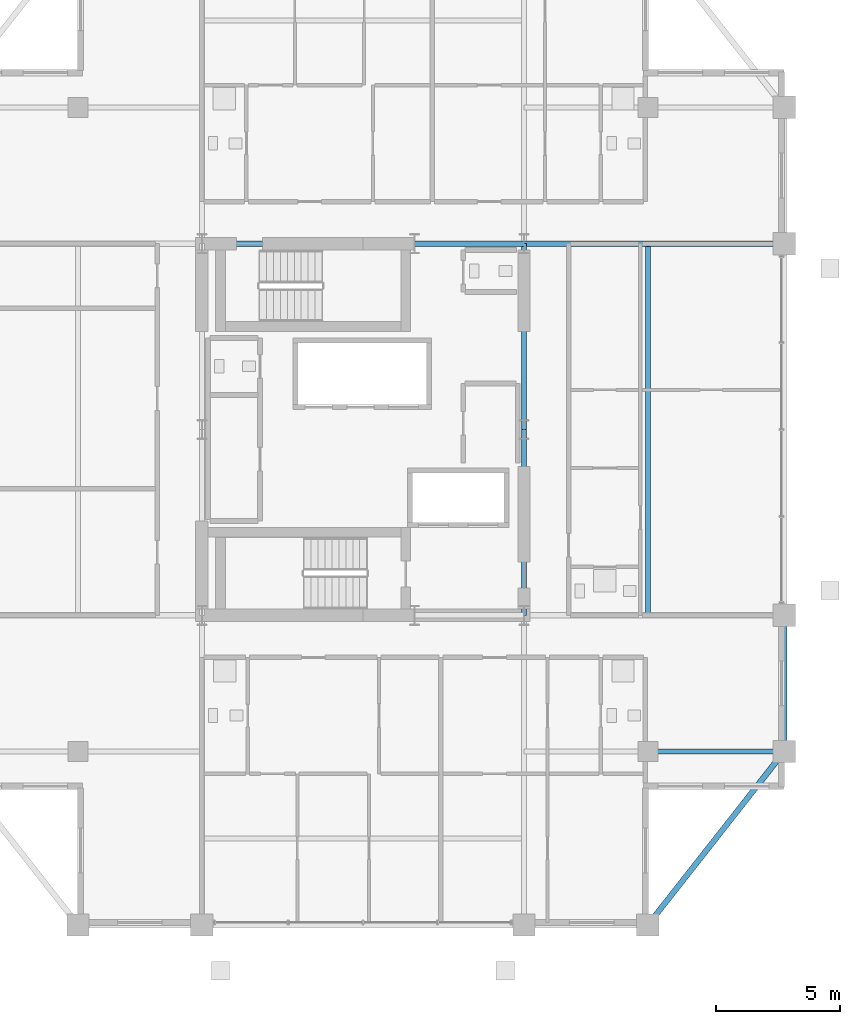
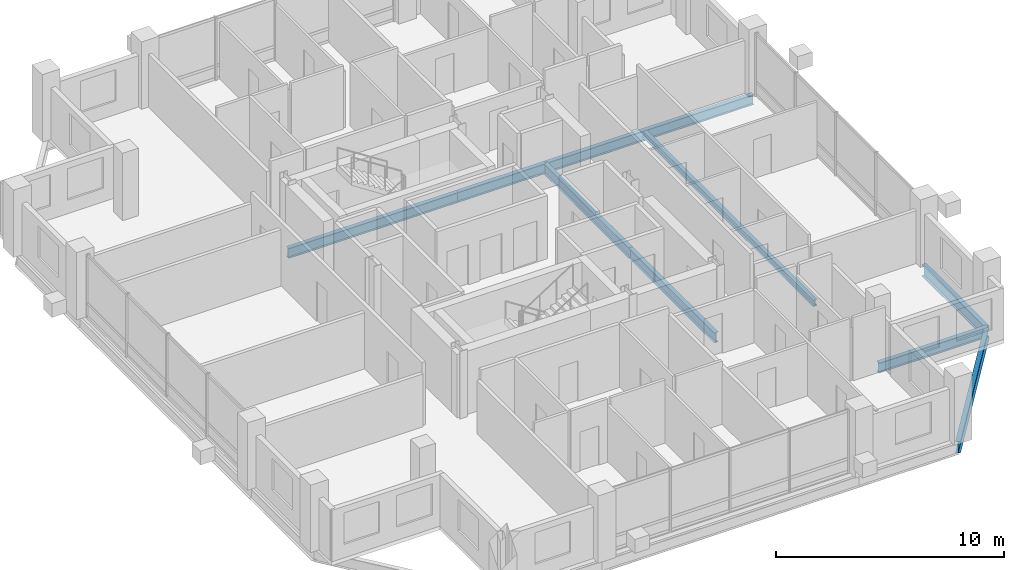
# One storey, part 9 of 21: 9 beams.
"""IFC4 building model written with IfcOpenShell, lengths in metres."""

import ifcopenshell
import ifcopenshell.guid

model = None  # the IFC model being written
_history = None  # IfcOwnerHistory: only IFC2X3 demands one
_inside = {}  # id of a spatial element -> (the spatial element, [elements in it])
_under = {}  # id of a project, library or spatial element -> (it, [spatial elements below it])
_declared = {}  # id of a project -> (the project, [libraries it declares])
_typed = {}  # id of a type object -> (the type object, [elements of that type])
_made_of = {}  # id of a material, layer set ... -> (it, [elements and type objects made of it])


def new_model(schema):
    """Start an empty IFC model of exactly this schema.

    Asked for "IFC4X3", IfcOpenShell would pick the latest addendum, in which some entities
    have other attributes; the version numbers below select the first issue.
    IFC2X3 requires an IfcOwnerHistory on every rooted entity: one is made here for all.
    """
    global model, _history
    if schema == "IFC4X3":
        model = ifcopenshell.file(schema_version=(4, 3, 0, 0))
    else:
        model = ifcopenshell.file(schema=schema)
    _inside.clear()
    _under.clear()
    _declared.clear()
    _typed.clear()
    _made_of.clear()
    _history = None
    if model.schema == "IFC2X3":
        org = make("IfcOrganization", Name="unknown")
        user = make(
            "IfcPersonAndOrganization",
            ThePerson=make("IfcPerson", FamilyName="unknown"),
            TheOrganization=org,
        )
        app = make(
            "IfcApplication",
            ApplicationDeveloper=org,
            Version="unknown",
            ApplicationFullName="unknown",
            ApplicationIdentifier="unknown",
        )
        _history = make(
            "IfcOwnerHistory",
            OwningUser=user,
            OwningApplication=app,
            ChangeAction="ADDED",
            CreationDate=0,
        )
    return model


def make(cls, **values):
    """One entity of the class cls with the attributes given. An attribute that is None is left unset."""
    return model.create_entity(
        cls, **{name: value for name, value in values.items() if value is not None}
    )


def rooted(cls, **values):
    """An entity with a GlobalId (a new one), such as an element, a storey or a relation."""
    return make(cls, GlobalId=ifcopenshell.guid.new(), OwnerHistory=_history, **values)


def si_unit(unit_type, name, prefix=None):
    """IfcSIUnit, for example si_unit("LENGTHUNIT", "METRE", prefix="MILLI")."""
    return make("IfcSIUnit", UnitType=unit_type, Prefix=prefix, Name=name)


def assignment(units):
    """IfcUnitAssignment: the units of a project."""
    return None if units is None else make("IfcUnitAssignment", Units=units)


def point(xyz):
    """IfcCartesianPoint."""
    return None if xyz is None else make("IfcCartesianPoint", Coordinates=xyz)


def direction(xyz):
    """IfcDirection."""
    return None if xyz is None else make("IfcDirection", DirectionRatios=xyz)


def frame(location, z_axis=None, x_axis=None):
    """IfcAxis2Placement3D, a coordinate frame: its origin and axes. An axis left out is left unset."""
    return make(
        "IfcAxis2Placement3D",
        Location=point(location),
        Axis=direction(z_axis),
        RefDirection=direction(x_axis),
    )


def frame_2d(location, x_axis=None):
    """IfcAxis2Placement2D, a coordinate frame in the plane: its origin and x axis."""
    return make(
        "IfcAxis2Placement2D", Location=point(location), RefDirection=direction(x_axis)
    )


def origin():
    """The frame at (0, 0, 0) with its axes left unset."""
    return frame((0.0, 0.0, 0.0))


def origin_2d():
    """The frame at (0, 0) in the plane with its x axis left unset."""
    return frame_2d((0.0, 0.0))


def place(relative_to, where):
    """IfcLocalPlacement: puts the frame where relative to a parent placement (None: the world)."""
    return make(
        "IfcLocalPlacement", PlacementRelTo=relative_to, RelativePlacement=where
    )


def context(
    kind, dimensions, precision=None, world=None, true_north=None, identifier=None
):
    """IfcGeometricRepresentationContext, for example the 3D "Model" context."""
    return make(
        "IfcGeometricRepresentationContext",
        ContextIdentifier=identifier,
        ContextType=kind,
        CoordinateSpaceDimension=dimensions,
        Precision=precision,
        WorldCoordinateSystem=world,
        TrueNorth=true_north,
    )


def subcontext(parent, identifier, kind, view, scale=None):
    """IfcGeometricRepresentationSubContext, for example "Body" below "Model"."""
    return make(
        "IfcGeometricRepresentationSubContext",
        ContextIdentifier=identifier,
        ContextType=kind,
        ParentContext=parent,
        TargetScale=scale,
        TargetView=view,
    )


def project(units=None, contexts=None):
    """IfcProject with its units and contexts."""
    return rooted(
        "IfcProject",
        Name="project",
        RepresentationContexts=contexts,
        UnitsInContext=assignment(units),
    )


def spatial(cls, under=None, at=None, **own):
    """A site, building, storey or space (cls), placed at a placement, below another one or the project."""
    s = rooted(cls, ObjectPlacement=at, **own)
    if under is not None:
        _under.setdefault(under.id(), (under, []))[1].append(s)
    return s


def profile(cls, at=None, kind="AREA", **sizes):
    """A parametric profile (cls). Its sizes go by their IFC names, for example OverallWidth=200.0."""
    return make(cls, ProfileType=kind, Position=at, **sizes)


def i_section(**sizes):
    """IfcIShapeProfileDef."""
    return profile("IfcIShapeProfileDef", **sizes)


def extrude(swept, where, along, depth):
    """IfcExtrudedAreaSolid: the profile swept, set in the frame where, extruded along a direction by depth."""
    return make(
        "IfcExtrudedAreaSolid",
        SweptArea=swept,
        Position=where,
        ExtrudedDirection=direction(along),
        Depth=depth,
    )


def shape(context_of_items, identifier, shape_type, items):
    """IfcShapeRepresentation: the items that make up one representation, for example the "Body"."""
    return make(
        "IfcShapeRepresentation",
        ContextOfItems=context_of_items,
        RepresentationIdentifier=identifier,
        RepresentationType=shape_type,
        Items=items,
    )


def material(Name=None, Category=None):
    """IfcMaterial."""
    return make("IfcMaterial", Name=Name, Category=Category)


def material_profile(
    of_material, cross_section, Name=None, Category=None, Priority=None
):
    """IfcMaterialProfile: a cross section and its material."""
    return make(
        "IfcMaterialProfile",
        Name=Name,
        Material=of_material,
        Profile=cross_section,
        Priority=Priority,
        Category=Category,
    )


def profile_set(profiles, Name=None, composite=None):
    """IfcMaterialProfileSet."""
    return make(
        "IfcMaterialProfileSet",
        Name=Name,
        MaterialProfiles=profiles,
        CompositeProfile=composite,
    )


def made_of(thing, what):
    """Note that an element or type object is made of a material, layer set ...; save() writes the relation."""
    if what is not None:
        _made_of.setdefault(what.id(), (what, []))[1].append(thing)
    return thing


def type_object(cls, material=None, **own):
    """A type object (cls), such as IfcWallType, which elements share."""
    return made_of(rooted(cls, **own), material)


def element(
    cls,
    number,
    at=None,
    inside=None,
    cuts=None,
    type_object=None,
    material=None,
    context=None,
    identifier="Body",
    shape_type=None,
    held_by="IfcProductDefinitionShape",
    body=None,
    shapes=None,
    **own,
):
    """One element of the class cls, such as IfcWall. Its Tag is "e" and its number.

    at: its placement. inside: the storey or other place that contains it. cuts: it is an
    opening in that element (IfcRelVoidsElement). A single representation is given by context,
    identifier, shape_type and body (its items); several are given by shapes. held_by: the class
    of the entity that holds the representations. save() writes the other relations.
    """
    e = rooted(cls, Tag="e%d" % number, ObjectPlacement=at, **own)
    if body is not None:
        shapes = [shape(context, identifier, shape_type, body)]
    if shapes is not None:
        e.Representation = make(held_by, Representations=shapes)
    if inside is not None:
        _inside.setdefault(inside.id(), (inside, []))[1].append(e)
    if cuts is not None:
        rooted(
            "IfcRelVoidsElement", RelatingBuildingElement=cuts, RelatedOpeningElement=e
        )
    if type_object is not None:
        _typed.setdefault(type_object.id(), (type_object, []))[1].append(e)
    return made_of(e, material)


def aggregate(whole, parts):
    """IfcRelAggregates: a whole, such as a stair, and the parts it consists of."""
    return rooted("IfcRelAggregates", RelatingObject=whole, RelatedObjects=parts)


def save(model, path):
    """Write the relations noted so far, then the file.

    IfcRelAggregates (storeys below a building ...), IfcRelContainedInSpatialStructure (elements
    in a storey), IfcRelDefinesByType, IfcRelAssociatesMaterial and IfcRelDeclares: one each for
    every whole, place, type object, material and project.
    """
    for whole, parts in _under.values():
        aggregate(whole, parts)
    for where, things in _inside.values():
        rooted(
            "IfcRelContainedInSpatialStructure",
            RelatedElements=things,
            RelatingStructure=where,
        )
    for kind, things in _typed.values():
        rooted("IfcRelDefinesByType", RelatedObjects=things, RelatingType=kind)
    for what, things in _made_of.values():
        rooted("IfcRelAssociatesMaterial", RelatedObjects=things, RelatingMaterial=what)
    for by, libraries in _declared.values():
        rooted("IfcRelDeclares", RelatingContext=by, RelatedDefinitions=libraries)
    model.write(path)


model = new_model("IFC4")

# Units and contexts
model_context = context("Model", 3, precision=1e-05, world=origin(), true_north=direction((0.0, 1.0)))
body_context = subcontext(model_context, "Body", "Model", "MODEL_VIEW")
ifc_project = project(units=[si_unit("LENGTHUNIT", "METRE"), si_unit("AREAUNIT", "SQUARE_METRE"), si_unit("VOLUMEUNIT", "CUBIC_METRE"), si_unit("PLANEANGLEUNIT", "RADIAN"), si_unit("MASSUNIT", "GRAM", prefix="KILO")], contexts=[model_context])

# Site, building, storey
site_placement = place(None, origin())
site = spatial("IfcSite", under=ifc_project, at=site_placement, CompositionType="ELEMENT")
building_placement = place(site_placement, origin())
building = spatial("IfcBuilding", under=site, at=building_placement, Name="Barlavira Tower and Art Museum", CompositionType="ELEMENT")
storey_placement = place(building_placement, frame((0.0, 0.0, 233.10009765625)))
storey = spatial("IfcBuildingStorey", under=building, at=storey_placement, Name="L60", CompositionType="ELEMENT", Elevation=233.10009765625)

# Beams
ifc_material = material(Name="Steel S355", Category="steel")
ifc_material_profile_1 = material_profile(ifc_material, i_section(OverallWidth=0.22998046875, OverallDepth=0.616943359375, WebThickness=0.01318359375, FlangeThickness=0.022216796875, at=origin_2d()), Name="W610x140.0")
ifc_profile_set_1 = profile_set([ifc_material_profile_1], Name="Steel S355")
beam_type_1 = type_object("IfcBeamType", Name="Upper Shaft Spandrel Edge Beam W610x140 Steel S355", PredefinedType="SPANDREL", material=ifc_profile_set_1)
beam_1_placement = place(storey_placement, frame((11.5, -20.0, -0.528564453125), z_axis=(0.617821551932, 0.786318338822, 0.0), x_axis=(-0.786318338822, 0.617821551932, 0.0)))
element("IfcBeam", 1, at=beam_1_placement, inside=storey, type_object=beam_type_1, Name="L60 Spandrel 4", PredefinedType="SPANDREL", context=body_context, shape_type="SweptSolid", body=[
    extrude(i_section(OverallWidth=0.22998046875, OverallDepth=0.616943359375, WebThickness=0.01318359375, FlangeThickness=0.022216796875, at=origin_2d()), origin(), (0.0, 0.0, 1.0), 8.90234375),
])
beam_2_placement = place(storey_placement, frame((17.0, -13.0, -0.528564453125), z_axis=(0.0, 1.0, 0.0), x_axis=(-1.0, 0.0, 0.0)))
element("IfcBeam", 2, at=beam_2_placement, inside=storey, type_object=beam_type_1, Name="L60 Spandrel 5", PredefinedType="SPANDREL", context=body_context, shape_type="SweptSolid", body=[
    extrude(i_section(OverallWidth=0.22998046875, OverallDepth=0.616943359375, WebThickness=0.01318359375, FlangeThickness=0.022216796875, at=origin_2d()), origin(), (0.0, 0.0, 1.0), 5.5),
])
ifc_material_profile_2 = material_profile(ifc_material, i_section(OverallWidth=0.2109375, OverallDepth=0.5390625, WebThickness=0.01171875, FlangeThickness=0.018798828125, at=origin_2d()), Name="W530x109.0")
ifc_profile_set_2 = profile_set([ifc_material_profile_2], Name="Steel S355")
beam_type_2 = type_object("IfcBeamType", Name="Zone 3-4 Primary Floor Girder W530x109 Steel S355", PredefinedType="BEAM", material=ifc_profile_set_2)
beam_3_placement = place(storey_placement, frame((-6.5, 7.5, -0.489501953125), z_axis=(1.0, 0.0, 0.0), x_axis=(0.0, 1.0, 0.0)))
element("IfcBeam", 3, at=beam_3_placement, inside=storey, type_object=beam_type_2, Name="L60 Girder C-N1", PredefinedType="BEAM", context=body_context, shape_type="SweptSolid", body=[
    extrude(i_section(OverallWidth=0.2109375, OverallDepth=0.5390625, WebThickness=0.01171875, FlangeThickness=0.018798828125, at=origin_2d()), origin(), (0.0, 0.0, 1.0), 8.580078125),
])
beam_4_placement = place(storey_placement, frame((2.080078125, 7.5, -0.489501953125), z_axis=(1.0, 0.0, 0.0), x_axis=(0.0, 1.0, 0.0)))
element("IfcBeam", 4, at=beam_4_placement, inside=storey, type_object=beam_type_2, Name="L60 Girder C-N2", PredefinedType="BEAM", context=body_context, shape_type="SweptSolid", body=[
    extrude(i_section(OverallWidth=0.2109375, OverallDepth=0.5390625, WebThickness=0.01171875, FlangeThickness=0.018798828125, at=origin_2d()), origin(), (0.0, 0.0, 1.0), 4.419921875),
])
for number, where, z_axis, x_axis, name in (
    (5, (6.5, -7.5, -0.489501953125), (0.0, 1.0, 0.0), (-1.0, 0.0, 0.0), "L60 Girder C-E1"),
    (6, (6.5, 0.0, -0.489501953125), (0.0, 1.0, 0.0), (-1.0, 0.0, 0.0), "L60 Girder C-E2"),
):
    element("IfcBeam", number, at=place(storey_placement, frame(where, z_axis=z_axis, x_axis=x_axis)), inside=storey, type_object=beam_type_2, Name=name, PredefinedType="BEAM", context=body_context, shape_type="SweptSolid", body=[
        extrude(i_section(OverallWidth=0.2109375, OverallDepth=0.5390625, WebThickness=0.01171875, FlangeThickness=0.018798828125, at=origin_2d()), origin(), (0.0, 0.0, 1.0), 7.5),
    ])
beam_5_placement = place(storey_placement, frame((6.5, 7.5, -0.489501953125), z_axis=(1.0, 0.0, 0.0), x_axis=(0.0, 1.0, 0.0)))
element("IfcBeam", 7, at=beam_5_placement, inside=storey, type_object=beam_type_2, Name="L60 Girder R-E2", PredefinedType="BEAM", context=body_context, shape_type="SweptSolid", body=[
    extrude(i_section(OverallWidth=0.2109375, OverallDepth=0.5390625, WebThickness=0.01171875, FlangeThickness=0.018798828125, at=origin_2d()), origin(), (0.0, 0.0, 1.0), 10.5),
])
beam_6_placement = place(storey_placement, frame((11.5, -13.0, -0.489501953125), z_axis=(1.0, 0.0, 0.0), x_axis=(0.0, 1.0, 0.0)))
element("IfcBeam", 8, at=beam_6_placement, inside=storey, type_object=beam_type_2, Name="L60 Girder I-S4", PredefinedType="BEAM", context=body_context, shape_type="SweptSolid", body=[
    extrude(i_section(OverallWidth=0.2109375, OverallDepth=0.5390625, WebThickness=0.01171875, FlangeThickness=0.018798828125, at=origin_2d()), origin(), (0.0, 0.0, 1.0), 5.5),
])
ifc_material_profile_3 = material_profile(ifc_material, i_section(OverallWidth=0.202880859375, OverallDepth=0.346923828125, WebThickness=0.0078125, FlangeThickness=0.013427734375, at=origin_2d()), Name="W360x64.0")
ifc_profile_set_3 = profile_set([ifc_material_profile_3], Name="Steel S355")
beam_type_3 = type_object("IfcBeamType", Name="Zone 4 Composite Floor Joist W360x64 Steel S355", PredefinedType="JOIST", material=ifc_profile_set_3)
beam_7_placement = place(storey_placement, frame((11.5, -7.5, -0.3935546875), z_axis=(0.0, 1.0, 0.0), x_axis=(-1.0, 0.0, 0.0)))
element("IfcBeam", 9, at=beam_7_placement, inside=storey, type_object=beam_type_3, Name="L60 Joist W2", PredefinedType="JOIST", context=body_context, shape_type="SweptSolid", body=[
    extrude(i_section(OverallWidth=0.202880859375, OverallDepth=0.346923828125, WebThickness=0.0078125, FlangeThickness=0.013427734375, at=origin_2d()), origin(), (0.0, 0.0, 1.0), 15.0),
])

save(model, "model.ifc")
